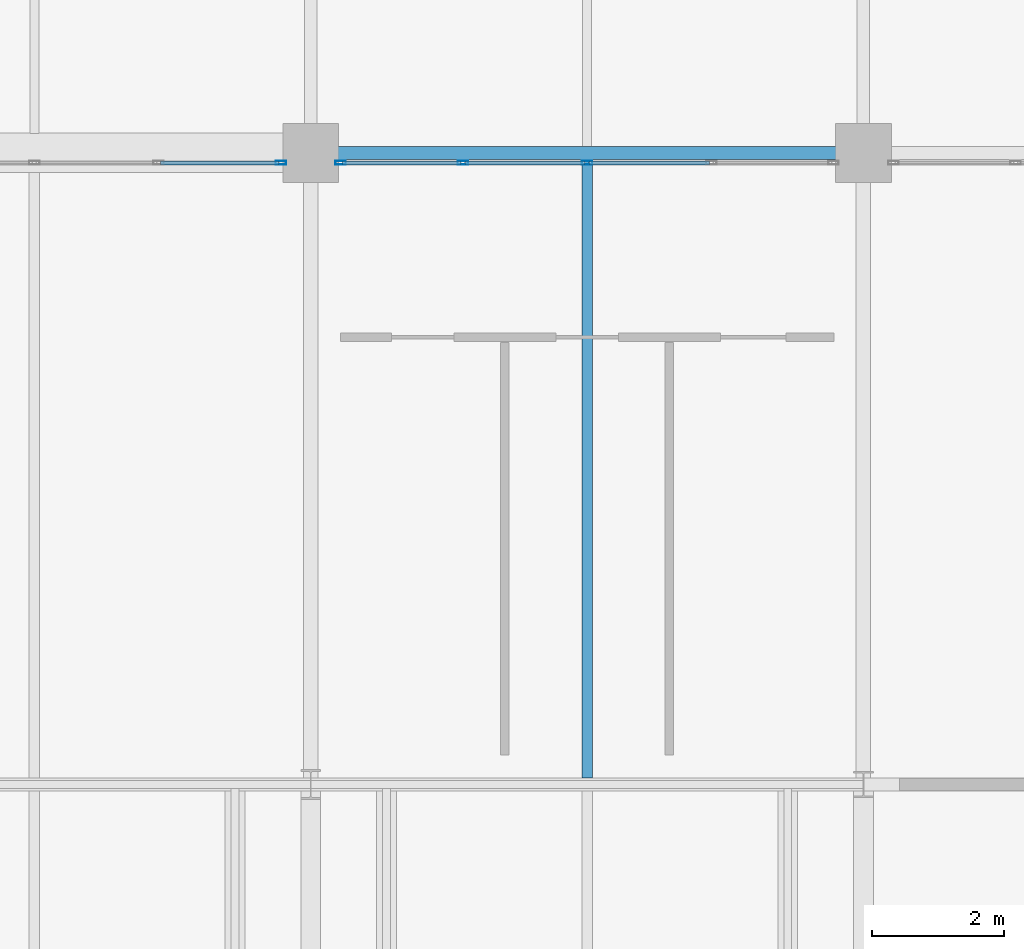
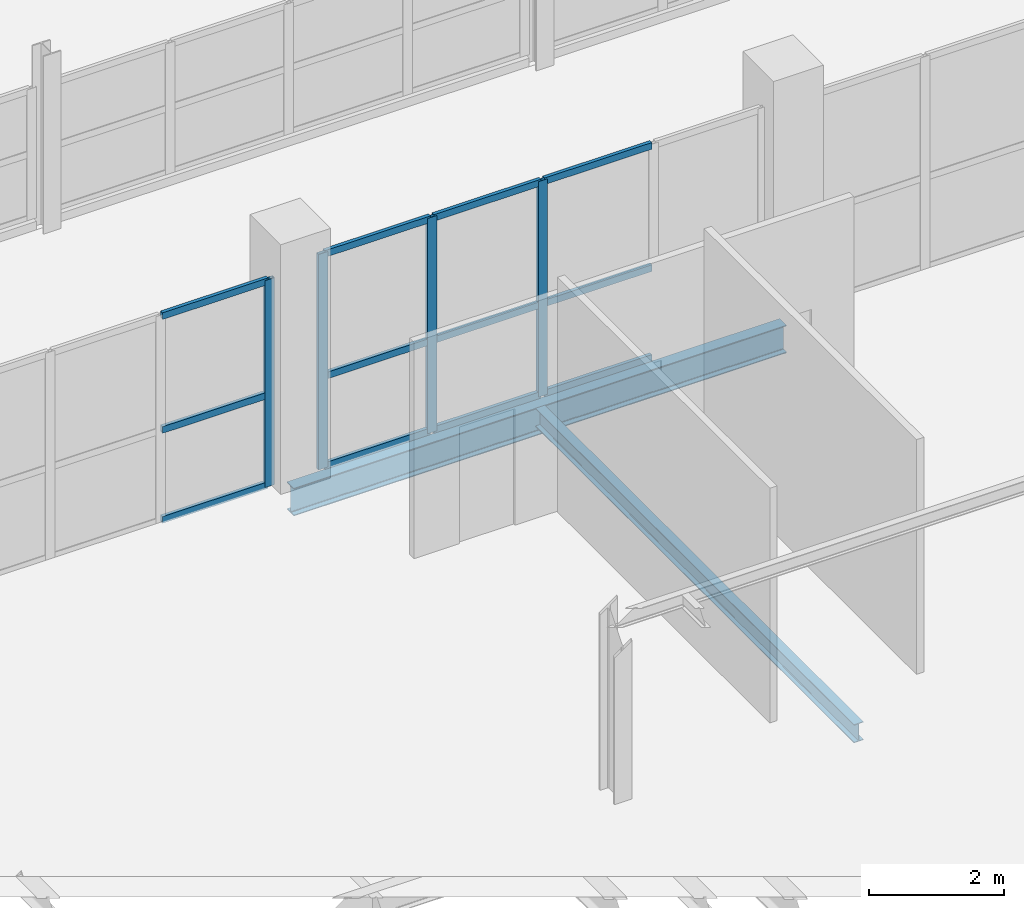
# One storey, part 18 of 103: 16 members, 2 beams, 2 elements without a shape of their own.
"""IFC4 building model written with IfcOpenShell, lengths in metres."""

from ifc_helpers import new_model, si_unit, direction, frame, origin, origin_2d, place, context, subcontext, project, spatial, hollow_rectangle, i_section, extrude, material, material_profile, profile_set, type_object, element, aggregate, save


model = new_model("IFC4")

# Units and contexts
model_context = context("Model", 3, precision=1e-05, world=origin(), true_north=direction((0.0, 1.0)))
body_context = subcontext(model_context, "Body", "Model", "MODEL_VIEW")
ifc_project = project(units=[si_unit("LENGTHUNIT", "METRE"), si_unit("AREAUNIT", "SQUARE_METRE"), si_unit("VOLUMEUNIT", "CUBIC_METRE"), si_unit("PLANEANGLEUNIT", "RADIAN"), si_unit("MASSUNIT", "GRAM", prefix="KILO")], contexts=[model_context])

# Site, building, storey
site_placement = place(None, origin())
site = spatial("IfcSite", under=ifc_project, at=site_placement, CompositionType="ELEMENT")
building_placement = place(site_placement, origin())
building = spatial("IfcBuilding", under=site, at=building_placement, Name="Veltarok Museum of Natural Sciences", CompositionType="ELEMENT")
storey_placement = place(building_placement, frame((0.0, 0.0, 21.89990234375)))
storey = spatial("IfcBuildingStorey", under=building, at=storey_placement, Name="L04", CompositionType="ELEMENT", Elevation=21.89990234375)

# Curtain wall, members
ifc_material_1 = material(Name="Low-iron triple insulated glass", Category="glass")
curtain_wall_type_1 = type_object("IfcCurtainWallType", Name="Curtain Wall System CW-V1CN4-L04-3-755x373 (CW-V1CN4 L04 755x373cm)", PredefinedType="NOTDEFINED", material=ifc_material_1)
curtain_wall_1_placement = place(storey_placement, origin())
curtain_wall_1 = element("IfcCurtainWall", 1, at=curtain_wall_1_placement, inside=storey, type_object=curtain_wall_type_1, Name="Curtain Wall CW-V1CN4-L04-3-755x373 CW-0163", PredefinedType="NOTDEFINED")
ifc_material_2 = material(Name="Thermally broken anodised aluminium", Category="aluminium")
ifc_material_profile_1 = material_profile(ifc_material_2, hollow_rectangle(XDim=0.06005859375, YDim=0.1201171875, WallThickness=0.0048828125, at=origin_2d()), Name="CW TRANSOM 60x120x5")
ifc_profile_set_1 = profile_set([ifc_material_profile_1], Name="Thermally broken anodised aluminium")
member_type_1 = type_object("IfcMemberType", Name="Curtain Wall Horizontal Transom 60x120x5", PredefinedType="USERDEFINED", material=ifc_profile_set_1)
member_1_placement = place(storey_placement, frame((47.9150390625, 19.050048828125, 0.028076171875), z_axis=(-1.0, 0.0, 0.0), x_axis=(0.0, -1.0, 0.0)))
member_1 = element("IfcMember", 2, at=member_1_placement, type_object=member_type_1, Name="CW-V1CN4-L04-3-755x373 transom 1.1", ObjectType="TRANSOM", PredefinedType="USERDEFINED", context=body_context, shape_type="SweptSolid", body=[
    extrude(hollow_rectangle(XDim=0.06005859375, YDim=0.1201171875, WallThickness=0.0048828125, at=origin_2d()), origin(), (0.0, 0.0, 1.0), 1.797607421875),
])
member_2_placement = place(storey_placement, frame((47.9150390625, 19.050048828125, 1.648193359375), z_axis=(-1.0, 0.0, 0.0), x_axis=(0.0, -1.0, 0.0)))
member_2 = element("IfcMember", 3, at=member_2_placement, type_object=member_type_1, Name="CW-V1CN4-L04-3-755x373 transom 1.2", ObjectType="TRANSOM", PredefinedType="USERDEFINED", context=body_context, shape_type="SweptSolid", body=[
    extrude(hollow_rectangle(XDim=0.06005859375, YDim=0.1201171875, WallThickness=0.0048828125, at=origin_2d()), origin(), (0.0, 0.0, 1.0), 1.797607421875),
])
member_3_placement = place(storey_placement, frame((47.9150390625, 19.050048828125, 3.7001953125), z_axis=(-1.0, 0.0, 0.0), x_axis=(0.0, -1.0, 0.0)))
member_3 = element("IfcMember", 4, at=member_3_placement, type_object=member_type_1, Name="CW-V1CN4-L04-3-755x373 transom 1.3", ObjectType="TRANSOM", PredefinedType="USERDEFINED", context=body_context, shape_type="SweptSolid", body=[
    extrude(hollow_rectangle(XDim=0.06005859375, YDim=0.1201171875, WallThickness=0.0048828125, at=origin_2d()), origin(), (0.0, 0.0, 1.0), 1.797607421875),
])

curtain_wall_type_2 = type_object("IfcCurtainWallType", Name="Curtain Wall System CW-V1CN4-L04-0-755x388 (CW-V1CN4 L04 755x388cm)", PredefinedType="NOTDEFINED", material=ifc_material_1)
curtain_wall_2_placement = place(storey_placement, origin())
curtain_wall_2 = element("IfcCurtainWall", 5, at=curtain_wall_2_placement, inside=storey, type_object=curtain_wall_type_2, Name="Curtain Wall CW-V1CN4-L04-0-755x388 CW-0164", PredefinedType="NOTDEFINED")
member_4_placement = place(storey_placement, frame((54.45751953125, 19.050048828125, 0.028076171875), z_axis=(-1.0, 0.0, 0.0), x_axis=(0.0, -1.0, 0.0)))
member_4 = element("IfcMember", 6, at=member_4_placement, type_object=member_type_1, Name="CW-V1CN4-L04-0-755x388 transom 2.1", ObjectType="TRANSOM", PredefinedType="USERDEFINED", context=body_context, shape_type="SweptSolid", body=[
    extrude(hollow_rectangle(XDim=0.06005859375, YDim=0.1201171875, WallThickness=0.0048828125, at=origin_2d()), origin(), (0.0, 0.0, 1.0), 1.82763671875),
])
member_5_placement = place(storey_placement, frame((54.45751953125, 19.050048828125, 1.648193359375), z_axis=(-1.0, 0.0, 0.0), x_axis=(0.0, -1.0, 0.0)))
member_5 = element("IfcMember", 7, at=member_5_placement, type_object=member_type_1, Name="CW-V1CN4-L04-0-755x388 transom 2.2", ObjectType="TRANSOM", PredefinedType="USERDEFINED", context=body_context, shape_type="SweptSolid", body=[
    extrude(hollow_rectangle(XDim=0.06005859375, YDim=0.1201171875, WallThickness=0.0048828125, at=origin_2d()), origin(), (0.0, 0.0, 1.0), 1.82763671875),
])
member_6_placement = place(storey_placement, frame((54.45751953125, 19.050048828125, 3.85009765625), z_axis=(-1.0, 0.0, 0.0), x_axis=(0.0, -1.0, 0.0)))
member_6 = element("IfcMember", 8, at=member_6_placement, type_object=member_type_1, Name="CW-V1CN4-L04-0-755x388 transom 2.3", ObjectType="TRANSOM", PredefinedType="USERDEFINED", context=body_context, shape_type="SweptSolid", body=[
    extrude(hollow_rectangle(XDim=0.06005859375, YDim=0.1201171875, WallThickness=0.0048828125, at=origin_2d()), origin(), (0.0, 0.0, 1.0), 1.82763671875),
])
member_7_placement = place(storey_placement, frame((52.570068359375, 19.050048828125, 0.028076171875), z_axis=(-1.0, 0.0, 0.0), x_axis=(0.0, -1.0, 0.0)))
member_7 = element("IfcMember", 9, at=member_7_placement, type_object=member_type_1, Name="CW-V1CN4-L04-0-755x388 transom 3.1", ObjectType="TRANSOM", PredefinedType="USERDEFINED", context=body_context, shape_type="SweptSolid", body=[
    extrude(hollow_rectangle(XDim=0.06005859375, YDim=0.1201171875, WallThickness=0.0048828125, at=origin_2d()), origin(), (0.0, 0.0, 1.0), 1.82763671875),
])
member_8_placement = place(storey_placement, frame((52.570068359375, 19.050048828125, 1.648193359375), z_axis=(-1.0, 0.0, 0.0), x_axis=(0.0, -1.0, 0.0)))
member_8 = element("IfcMember", 10, at=member_8_placement, type_object=member_type_1, Name="CW-V1CN4-L04-0-755x388 transom 3.2", ObjectType="TRANSOM", PredefinedType="USERDEFINED", context=body_context, shape_type="SweptSolid", body=[
    extrude(hollow_rectangle(XDim=0.06005859375, YDim=0.1201171875, WallThickness=0.0048828125, at=origin_2d()), origin(), (0.0, 0.0, 1.0), 1.82763671875),
])
member_9_placement = place(storey_placement, frame((52.570068359375, 19.050048828125, 3.85009765625), z_axis=(-1.0, 0.0, 0.0), x_axis=(0.0, -1.0, 0.0)))
member_9 = element("IfcMember", 11, at=member_9_placement, type_object=member_type_1, Name="CW-V1CN4-L04-0-755x388 transom 3.3", ObjectType="TRANSOM", PredefinedType="USERDEFINED", context=body_context, shape_type="SweptSolid", body=[
    extrude(hollow_rectangle(XDim=0.06005859375, YDim=0.1201171875, WallThickness=0.0048828125, at=origin_2d()), origin(), (0.0, 0.0, 1.0), 1.82763671875),
])
member_10_placement = place(storey_placement, frame((50.6826171875, 19.050048828125, 0.028076171875), z_axis=(-1.0, 0.0, 0.0), x_axis=(0.0, -1.0, 0.0)))
member_10 = element("IfcMember", 12, at=member_10_placement, type_object=member_type_1, Name="CW-V1CN4-L04-0-755x388 transom 4.1", ObjectType="TRANSOM", PredefinedType="USERDEFINED", context=body_context, shape_type="SweptSolid", body=[
    extrude(hollow_rectangle(XDim=0.06005859375, YDim=0.1201171875, WallThickness=0.0048828125, at=origin_2d()), origin(), (0.0, 0.0, 1.0), 1.797607421875),
])
member_11_placement = place(storey_placement, frame((50.6826171875, 19.050048828125, 1.648193359375), z_axis=(-1.0, 0.0, 0.0), x_axis=(0.0, -1.0, 0.0)))
member_11 = element("IfcMember", 13, at=member_11_placement, type_object=member_type_1, Name="CW-V1CN4-L04-0-755x388 transom 4.2", ObjectType="TRANSOM", PredefinedType="USERDEFINED", context=body_context, shape_type="SweptSolid", body=[
    extrude(hollow_rectangle(XDim=0.06005859375, YDim=0.1201171875, WallThickness=0.0048828125, at=origin_2d()), origin(), (0.0, 0.0, 1.0), 1.797607421875),
])
member_12_placement = place(storey_placement, frame((50.6826171875, 19.050048828125, 3.85009765625), z_axis=(-1.0, 0.0, 0.0), x_axis=(0.0, -1.0, 0.0)))
member_12 = element("IfcMember", 14, at=member_12_placement, type_object=member_type_1, Name="CW-V1CN4-L04-0-755x388 transom 4.3", ObjectType="TRANSOM", PredefinedType="USERDEFINED", context=body_context, shape_type="SweptSolid", body=[
    extrude(hollow_rectangle(XDim=0.06005859375, YDim=0.1201171875, WallThickness=0.0048828125, at=origin_2d()), origin(), (0.0, 0.0, 1.0), 1.797607421875),
])

# Member
ifc_material_profile_2 = material_profile(ifc_material_2, hollow_rectangle(XDim=0.06005859375, YDim=0.159912109375, WallThickness=0.0048828125, at=origin_2d()), Name="CW MULLION 60x160x5")
ifc_profile_set_2 = profile_set([ifc_material_profile_2], Name="Thermally broken anodised aluminium")
member_type_2 = type_object("IfcMemberType", Name="Curtain Wall Vertical Mullion 60x160x5", PredefinedType="MULLION", material=ifc_profile_set_2)
member_13_placement = place(storey_placement, frame((47.945068359375, 19.050048828125, -0.001953125), z_axis=(0.0, 0.0, 1.0), x_axis=(0.0, -1.0, 0.0)))
member_13 = element("IfcMember", 15, at=member_13_placement, type_object=member_type_2, Name="CW-V1CN4-L04-3-755x373 mullion 1", PredefinedType="MULLION", context=body_context, shape_type="SweptSolid", body=[
    extrude(hollow_rectangle(XDim=0.06005859375, YDim=0.159912109375, WallThickness=0.0048828125, at=origin_2d()), origin(), (0.0, 0.0, 1.0), 3.73193359375),
])

aggregate(curtain_wall_1, [member_13, member_1, member_2, member_3])

member_14_placement = place(storey_placement, frame((52.60009765625, 19.050048828125, -0.001953125), z_axis=(0.0, 0.0, 1.0), x_axis=(0.0, -1.0, 0.0)))
member_14 = element("IfcMember", 16, at=member_14_placement, type_object=member_type_2, Name="CW-V1CN4-L04-0-755x388 mullion 3", PredefinedType="MULLION", context=body_context, shape_type="SweptSolid", body=[
    extrude(hollow_rectangle(XDim=0.06005859375, YDim=0.159912109375, WallThickness=0.0048828125, at=origin_2d()), origin(), (0.0, 0.0, 1.0), 3.882080078125),
])

member_15_placement = place(storey_placement, frame((50.71240234375, 19.050048828125, -0.001953125), z_axis=(0.0, 0.0, 1.0), x_axis=(0.0, -1.0, 0.0)))
member_15 = element("IfcMember", 17, at=member_15_placement, type_object=member_type_2, Name="CW-V1CN4-L04-0-755x388 mullion 4", PredefinedType="MULLION", context=body_context, shape_type="SweptSolid", body=[
    extrude(hollow_rectangle(XDim=0.06005859375, YDim=0.159912109375, WallThickness=0.0048828125, at=origin_2d()), origin(), (0.0, 0.0, 1.0), 3.882080078125),
])

member_16_placement = place(storey_placement, frame((48.85498046875, 19.050048828125, -0.001953125), z_axis=(0.0, 0.0, 1.0), x_axis=(0.0, -1.0, 0.0)))
member_16 = element("IfcMember", 18, at=member_16_placement, type_object=member_type_2, Name="CW-V1CN4-L04-0-755x388 mullion 5", PredefinedType="MULLION", context=body_context, shape_type="SweptSolid", body=[
    extrude(hollow_rectangle(XDim=0.06005859375, YDim=0.159912109375, WallThickness=0.0048828125, at=origin_2d()), origin(), (0.0, 0.0, 1.0), 3.882080078125),
])

aggregate(curtain_wall_2, [member_14, member_15, member_16, member_4, member_5, member_6, member_7, member_8, member_9, member_10, member_11, member_12])

# Beams
ifc_material_3 = material(Name="Steel S355J2", Category="steel")
ifc_material_profile_3 = material_profile(ifc_material_3, i_section(OverallWidth=0.159912109375, OverallDepth=0.330078125, WebThickness=0.007568359375, FlangeThickness=0.011474609375, FilletRadius=0.01806640625, at=origin_2d()), Name="IPE 330")
ifc_profile_set_3 = profile_set([ifc_material_profile_3], Name="Steel S355J2")
beam_type_1 = type_object("IfcBeamType", Name="Medium-Bay Composite Joist IPE 330", PredefinedType="JOIST", material=ifc_profile_set_3)
beam_1_placement = place(storey_placement, frame((52.60009765625, 9.697998046875, -0.414794921875), z_axis=(0.0, 1.0, 0.0), x_axis=(-1.0, 0.0, 0.0)))
element("IfcBeam", 19, at=beam_1_placement, inside=storey, type_object=beam_type_1, Name="Secondary Joist BM-J02 L04 6-7/B-C.1", PredefinedType="JOIST", context=body_context, shape_type="SweptSolid", body=[
    extrude(i_section(OverallWidth=0.159912109375, OverallDepth=0.330078125, WebThickness=0.007568359375, FlangeThickness=0.011474609375, FilletRadius=0.01806640625, at=origin_2d()), origin(), (0.0, 0.0, 1.0), 9.404052734375),
])
ifc_material_profile_4 = material_profile(ifc_material_3, i_section(OverallWidth=0.199951171875, OverallDepth=0.5, WebThickness=0.01025390625, FlangeThickness=0.01611328125, FilletRadius=0.02099609375, at=origin_2d()), Name="IPE 500")
ifc_profile_set_4 = profile_set([ifc_material_profile_4], Name="Steel S355J2")
beam_type_2 = type_object("IfcBeamType", Name="Standard Gallery Girder IPE 500", PredefinedType="BEAM", material=ifc_profile_set_4)
beam_2_placement = place(storey_placement, frame((48.39990234375, 19.199951171875, -0.5), z_axis=(1.0, 0.0, 0.0), x_axis=(0.0, 1.0, 0.0)))
element("IfcBeam", 20, at=beam_2_placement, inside=storey, type_object=beam_type_2, Name="Beam BM-G04 L04 6-7/C", PredefinedType="BEAM", context=body_context, shape_type="SweptSolid", body=[
    extrude(i_section(OverallWidth=0.199951171875, OverallDepth=0.5, WebThickness=0.01025390625, FlangeThickness=0.01611328125, FilletRadius=0.02099609375, at=origin_2d()), origin(), (0.0, 0.0, 1.0), 8.400146484375),
])

save(model, "model.ifc")
